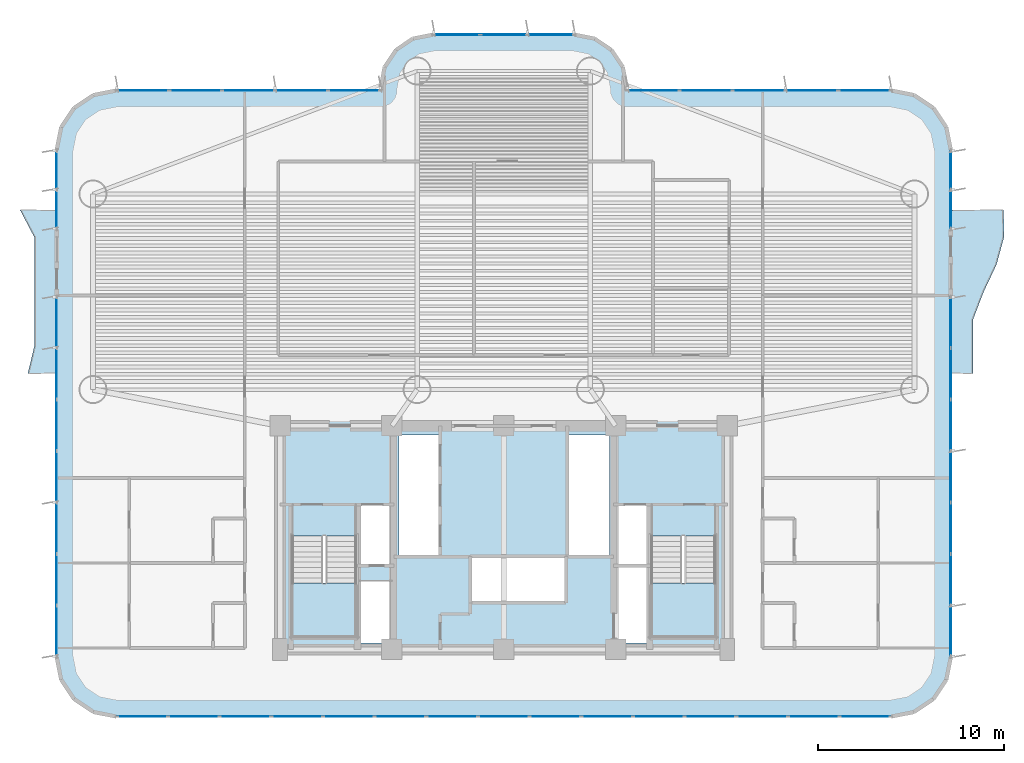
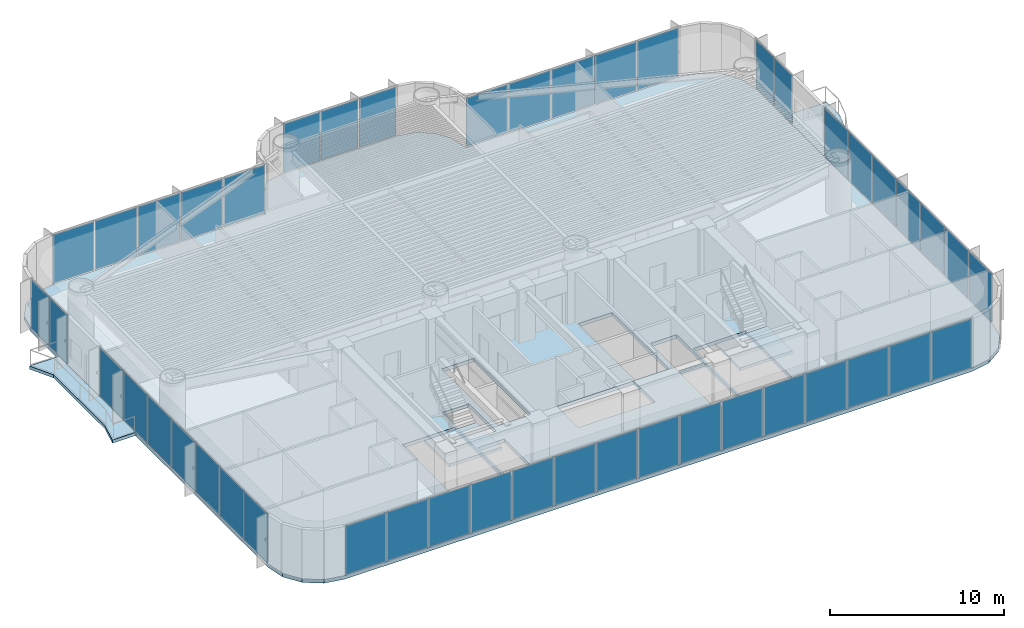
# One storey, part 9 of 17: 46 plates, 5 slabs, 10 elements without a shape of their own.
"""IFC4 building model written with IfcOpenShell, lengths in metres."""

from ifc_helpers import new_model, si_unit, direction, frame, origin, origin_2d, place, context, subcontext, project, spatial, polyline, rectangle, outline, extrude, source, transform, mapped, material, layer, layer_set, type_object, element, aggregate, save


model = new_model("IFC4")

# Units and contexts
model_context = context("Model", 3, precision=1e-05, world=origin(), true_north=direction((0.0, 1.0)))
body_context = subcontext(model_context, "Body", "Model", "MODEL_VIEW")
ifc_project = project(units=[si_unit("LENGTHUNIT", "METRE"), si_unit("AREAUNIT", "SQUARE_METRE"), si_unit("VOLUMEUNIT", "CUBIC_METRE"), si_unit("PLANEANGLEUNIT", "RADIAN"), si_unit("MASSUNIT", "GRAM", prefix="KILO")], contexts=[model_context])

# Site, building, storey
site_placement = place(None, origin())
site = spatial("IfcSite", under=ifc_project, at=site_placement, CompositionType="ELEMENT")
building_placement = place(site_placement, origin())
building = spatial("IfcBuilding", under=site, at=building_placement, Name="Brelvock Crest Care Tower", CompositionType="ELEMENT")
storey_placement = place(building_placement, frame((0.0, 0.0, 53.4599609375)))
storey = spatial("IfcBuildingStorey", under=building, at=storey_placement, Name="L13", CompositionType="ELEMENT", Elevation=53.4599609375)

# Slabs
ifc_material_1 = material(Name="Concrete N50 (50 MPa)", Category="concrete")
ifc_layer_1 = layer(ifc_material_1, 0.22998046875, Name="SLB-FL4")
ifc_layer_set_1 = layer_set([ifc_layer_1], Name="Concrete N50 (50 MPa)")
slab_type_1 = type_object("IfcSlabType", Name="SLB-FL4", PredefinedType="FLOOR", material=ifc_layer_set_1)
slab_1_placement = place(storey_placement, frame((0.0, 0.0, -0.25)))
element("IfcSlab", 1, at=slab_1_placement, inside=storey, type_object=slab_type_1, Name="L13 Main Structural Slab", PredefinedType="FLOOR", context=body_context, shape_type="SweptSolid", body=[
    extrude(outline(polyline([(56.800048828125, 36.0), (42.60009765625, 36.0), (42.60009765625, 36.199951171875), (42.386962890625, 37.271484375), (41.77978515625, 38.179931640625), (40.87158203125, 38.786865234375), (39.800048828125, 39.0), (32.199951171875, 39.0), (31.12841796875, 38.786865234375), (30.22021484375, 38.179931640625), (29.613037109375, 37.271484375), (29.39990234375, 36.199951171875), (29.39990234375, 36.0), (15.199951171875, 36.0), (13.975341796875, 35.75634765625), (12.937255859375, 35.062744140625), (12.24365234375, 34.024658203125), (12.0, 32.800048828125), (12.0, 5.60009765625), (12.24365234375, 4.37548828125), (12.937255859375, 3.33740234375), (13.975341796875, 2.6435546875), (15.199951171875, 2.39990234375), (56.800048828125, 2.39990234375), (58.024658203125, 2.6435546875), (59.062744140625, 3.33740234375), (59.75634765625, 4.37548828125), (60.0, 5.60009765625), (60.0, 32.800048828125), (59.75634765625, 34.024658203125), (59.062744140625, 35.062744140625), (58.024658203125, 35.75634765625), (56.800048828125, 36.0)]), holes=[polyline([(28.239990234375, 10.580078125), (29.97998046875, 10.580078125), (29.97998046875, 13.739990234375), (28.239990234375, 13.739990234375), (28.239990234375, 10.580078125)]), polyline([(42.02001953125, 10.580078125), (43.760009765625, 10.580078125), (43.760009765625, 13.739990234375), (42.02001953125, 13.739990234375), (42.02001953125, 10.580078125)]), polyline([(28.239990234375, 6.340087890625), (29.97998046875, 6.340087890625), (29.97998046875, 9.64990234375), (28.239990234375, 9.64990234375), (28.239990234375, 6.340087890625)]), polyline([(24.6298828125, 12.080078125), (24.6298828125, 6.699951171875), (28.110107421875, 6.699951171875), (28.110107421875, 12.080078125), (24.6298828125, 12.080078125)]), polyline([(43.889892578125, 12.080078125), (43.889892578125, 6.699951171875), (47.3701171875, 6.699951171875), (47.3701171875, 12.080078125), (43.889892578125, 12.080078125)]), polyline([(42.02001953125, 6.340087890625), (43.760009765625, 6.340087890625), (43.760009765625, 10.5), (42.02001953125, 10.5), (42.02001953125, 6.340087890625)]), polyline([(30.3798828125, 11.030029296875), (32.52001953125, 11.030029296875), (32.52001953125, 17.52001953125), (30.3798828125, 17.52001953125), (30.3798828125, 11.030029296875)]), polyline([(34.22998046875, 8.530029296875), (39.320068359375, 8.530029296875), (39.320068359375, 10.969970703125), (34.22998046875, 10.969970703125), (34.22998046875, 8.530029296875)]), polyline([(39.429931640625, 11.030029296875), (41.669921875, 11.030029296875), (41.669921875, 17.52001953125), (39.429931640625, 17.52001953125), (39.429931640625, 11.030029296875)])]), origin(), (0.0, 0.0, 1.0), 0.25),
])
ifc_layer_2 = layer(ifc_material_1, 0.219970703125, Name="SLB-WB1")
ifc_layer_set_2 = layer_set([ifc_layer_2], Name="Concrete N50 (50 MPa)")
slab_type_2 = type_object("IfcSlabType", Name="SLB-WB1", PredefinedType="FLOOR", material=ifc_layer_set_2)
slab_2_placement = place(storey_placement, frame((0.0, 0.0, -0.219970703125)))
element("IfcSlab", 2, at=slab_2_placement, inside=storey, type_object=slab_type_2, Name="L13 W Sinusoidal Wave Balcony Slab", PredefinedType="FLOOR", context=body_context, shape_type="SweptSolid", body=[
    extrude(outline(polyline([(12.0, 29.60009765625), (10.03271484375, 29.60009765625), (10.79931640625, 28.13330078125), (10.800048828125, 26.666748046875), (10.800048828125, 25.199951171875), (10.800048828125, 23.7333984375), (10.800048828125, 22.2666015625), (10.449951171875, 20.800048828125), (12.0, 20.800048828125), (12.0, 29.60009765625)])), origin(), (0.0, 0.0, 1.0), 0.219970703125),
])
slab_3_placement = place(storey_placement, frame((0.0, 0.0, -0.219970703125)))
element("IfcSlab", 3, at=slab_3_placement, inside=storey, type_object=slab_type_2, Name="L13 E Sinusoidal Wave Balcony Slab", PredefinedType="FLOOR", context=body_context, shape_type="SweptSolid", body=[
    extrude(outline(polyline([(60.0, 20.800048828125), (61.199951171875, 20.800048828125), (61.199951171875, 22.2666015625), (61.199951171875, 23.7333984375), (61.76123046875, 25.199951171875), (62.453369140625, 26.666748046875), (62.85400390625, 28.13330078125), (62.833984375, 29.60009765625), (60.0, 29.60009765625), (60.0, 20.800048828125)])), origin(), (0.0, 0.0, 1.0), 0.219970703125),
])

# Stair, slab
ifc_material_2 = material(Name="Concrete N40 (40 MPa)", Category="concrete")
stair_type = type_object("IfcStairType", Name="ST-CORE1", PredefinedType="HALF_TURN_STAIR", material=ifc_material_2)
stair_1_placement = place(storey_placement, origin())
stair_1 = element("IfcStair", 4, at=stair_1_placement, inside=storey, type_object=stair_type, Name="L13 Fire-Isolated Core Stair ST-1", PredefinedType="HALF_TURN_STAIR")
ifc_layer_3 = layer(ifc_material_2, 0.199951171875, Name="STL-1")
ifc_layer_set_3 = layer_set([ifc_layer_3], Name="Concrete N40 (40 MPa)")
slab_type_3 = type_object("IfcSlabType", Name="STL-1", PredefinedType="LANDING", material=ifc_layer_set_3)
slab_4_placement = place(storey_placement, frame((0.0, 0.0, 1.68994140625)))
slab_4 = element("IfcSlab", 5, at=slab_4_placement, type_object=slab_type_3, Name="ST-1 landing 1", PredefinedType="LANDING", context=body_context, shape_type="SweptSolid", body=[
    extrude(outline(polyline([(24.6298828125, 9.56005859375), (24.6298828125, 6.699951171875), (28.110107421875, 6.699951171875), (28.110107421875, 9.56005859375), (24.6298828125, 9.56005859375)])), origin(), (0.0, 0.0, 1.0), 0.2001953125),
])
aggregate(stair_1, [slab_4])

stair_2_placement = place(storey_placement, origin())
stair_2 = element("IfcStair", 6, at=stair_2_placement, inside=storey, type_object=stair_type, Name="L13 Fire-Isolated Core Stair ST-2", PredefinedType="HALF_TURN_STAIR")
slab_5_placement = place(storey_placement, frame((0.0, 0.0, 1.68994140625)))
slab_5 = element("IfcSlab", 7, at=slab_5_placement, type_object=slab_type_3, Name="ST-2 landing 1", PredefinedType="LANDING", context=body_context, shape_type="SweptSolid", body=[
    extrude(outline(polyline([(43.889892578125, 9.56005859375), (43.889892578125, 6.699951171875), (47.3701171875, 6.699951171875), (47.3701171875, 9.56005859375), (43.889892578125, 9.56005859375)])), origin(), (0.0, 0.0, 1.0), 0.2001953125),
])
aggregate(stair_2, [slab_5])

# Curtain wall, plates
ifc_material_3 = material(Name="Dark Glass Double Glazed Low-E", Category="glass")
ifc_layer_4 = layer(ifc_material_3, 0.195068359375, Name="CWS-2")
ifc_layer_set_4 = layer_set([ifc_layer_4], Name="Dark Glass Double Glazed Low-E")
curtain_wall_type = type_object("IfcCurtainWallType", Name="CWS-2", PredefinedType="NOTDEFINED", material=ifc_layer_set_4)
curtain_wall_1_placement = place(storey_placement, origin())
curtain_wall_1 = element("IfcCurtainWall", 8, at=curtain_wall_1_placement, inside=storey, type_object=curtain_wall_type, Name="L13 Curtain Wall E08", PredefinedType="NOTDEFINED")
ifc_layer_5 = layer(ifc_material_3, 0.031982421875, Name="CWP-V1")
ifc_layer_set_5 = layer_set([ifc_layer_5], Name="Dark Glass Double Glazed Low-E")
plate_type = type_object("IfcPlateType", Name="CWP-V1", PredefinedType="CURTAIN_PANEL", material=ifc_layer_set_5)
shared_shape_1 = source(origin(), body_context, "Body", "SweptSolid", [
    extrude(rectangle(XDim=2.67578125, YDim=0.035888671875, at=origin_2d()), origin(), (0.0, 0.0, 1.0), 3.39990234375),
])
plate_1_placement = place(storey_placement, frame((55.39697265625, 2.39990234375, 0.065185546875), z_axis=(0.0, 0.0, 1.0), x_axis=(-1.0, 0.0, 0.0)))
plate_1 = element("IfcPlate", 9, at=plate_1_placement, type_object=plate_type, Name="CW-2 panel 1.1", PredefinedType="CURTAIN_PANEL", context=body_context, shape_type="MappedRepresentation", body=[
    mapped(shared_shape_1, transform((0.0, 0.0, 0.0), x_axis=(1.0, 0.0, 0.0), y_axis=(0.0, 1.0, 0.0), z_axis=(0.0, 0.0, 1.0), scale=1.0)),
])
plate_2_placement = place(storey_placement, frame((16.60302734375, 2.39990234375, 0.065185546875), z_axis=(0.0, 0.0, 1.0), x_axis=(-1.0, 0.0, 0.0)))
plate_2 = element("IfcPlate", 10, at=plate_2_placement, type_object=plate_type, Name="CW-2 panel 15.1", PredefinedType="CURTAIN_PANEL", context=body_context, shape_type="MappedRepresentation", body=[
    mapped(shared_shape_1, transform((0.0, 0.0, 0.0), x_axis=(1.0, 0.0, 0.0), y_axis=(0.0, 1.0, 0.0), z_axis=(0.0, 0.0, 1.0), scale=1.0)),
])
shared_shape_2 = source(origin(), body_context, "Body", "SweptSolid", [
    extrude(rectangle(XDim=2.708251953125, YDim=0.035888671875, at=origin_2d()), origin(), (0.0, 0.0, 1.0), 3.39990234375),
])
plate_3_placement = place(storey_placement, frame((52.639892578125, 2.39990234375, 0.065185546875), z_axis=(0.0, 0.0, 1.0), x_axis=(-1.0, 0.0, 0.0)))
plate_3 = element("IfcPlate", 11, at=plate_3_placement, type_object=plate_type, Name="CW-2 panel 2.1", PredefinedType="CURTAIN_PANEL", context=body_context, shape_type="MappedRepresentation", body=[
    mapped(shared_shape_2, transform((0.0, 0.0, 0.0), x_axis=(1.0, 0.0, 0.0), y_axis=(0.0, 1.0, 0.0), z_axis=(0.0, 0.0, 1.0), scale=1.0)),
])
plate_4_placement = place(storey_placement, frame((49.86669921875, 2.39990234375, 0.065185546875), z_axis=(0.0, 0.0, 1.0), x_axis=(-1.0, 0.0, 0.0)))
plate_4 = element("IfcPlate", 12, at=plate_4_placement, type_object=plate_type, Name="CW-2 panel 3.1", PredefinedType="CURTAIN_PANEL", context=body_context, shape_type="MappedRepresentation", body=[
    mapped(shared_shape_2, transform((0.0, 0.0, 0.0), x_axis=(1.0, 0.0, 0.0), y_axis=(0.0, 1.0, 0.0), z_axis=(0.0, 0.0, 1.0), scale=1.0)),
])
plate_5_placement = place(storey_placement, frame((47.09326171875, 2.39990234375, 0.065185546875), z_axis=(0.0, 0.0, 1.0), x_axis=(-1.0, 0.0, 0.0)))
plate_5 = element("IfcPlate", 13, at=plate_5_placement, type_object=plate_type, Name="CW-2 panel 4.1", PredefinedType="CURTAIN_PANEL", context=body_context, shape_type="MappedRepresentation", body=[
    mapped(shared_shape_2, transform((0.0, 0.0, 0.0), x_axis=(1.0, 0.0, 0.0), y_axis=(0.0, 1.0, 0.0), z_axis=(0.0, 0.0, 1.0), scale=1.0)),
])
plate_6_placement = place(storey_placement, frame((44.320068359375, 2.39990234375, 0.065185546875), z_axis=(0.0, 0.0, 1.0), x_axis=(-1.0, 0.0, 0.0)))
plate_6 = element("IfcPlate", 14, at=plate_6_placement, type_object=plate_type, Name="CW-2 panel 5.1", PredefinedType="CURTAIN_PANEL", context=body_context, shape_type="MappedRepresentation", body=[
    mapped(shared_shape_2, transform((0.0, 0.0, 0.0), x_axis=(1.0, 0.0, 0.0), y_axis=(0.0, 1.0, 0.0), z_axis=(0.0, 0.0, 1.0), scale=1.0)),
])
plate_7_placement = place(storey_placement, frame((41.546630859375, 2.39990234375, 0.065185546875), z_axis=(0.0, 0.0, 1.0), x_axis=(-1.0, 0.0, 0.0)))
plate_7 = element("IfcPlate", 15, at=plate_7_placement, type_object=plate_type, Name="CW-2 panel 6.1", PredefinedType="CURTAIN_PANEL", context=body_context, shape_type="MappedRepresentation", body=[
    mapped(shared_shape_2, transform((0.0, 0.0, 0.0), x_axis=(1.0, 0.0, 0.0), y_axis=(0.0, 1.0, 0.0), z_axis=(0.0, 0.0, 1.0), scale=1.0)),
])
plate_8_placement = place(storey_placement, frame((38.7734375, 2.39990234375, 0.065185546875), z_axis=(0.0, 0.0, 1.0), x_axis=(-1.0, 0.0, 0.0)))
plate_8 = element("IfcPlate", 16, at=plate_8_placement, type_object=plate_type, Name="CW-2 panel 7.1", PredefinedType="CURTAIN_PANEL", context=body_context, shape_type="MappedRepresentation", body=[
    mapped(shared_shape_2, transform((0.0, 0.0, 0.0), x_axis=(1.0, 0.0, 0.0), y_axis=(0.0, 1.0, 0.0), z_axis=(0.0, 0.0, 1.0), scale=1.0)),
])
plate_9_placement = place(storey_placement, frame((36.0, 2.39990234375, 0.065185546875), z_axis=(0.0, 0.0, 1.0), x_axis=(-1.0, 0.0, 0.0)))
plate_9 = element("IfcPlate", 17, at=plate_9_placement, type_object=plate_type, Name="CW-2 panel 8.1", PredefinedType="CURTAIN_PANEL", context=body_context, shape_type="MappedRepresentation", body=[
    mapped(shared_shape_2, transform((0.0, 0.0, 0.0), x_axis=(1.0, 0.0, 0.0), y_axis=(0.0, 1.0, 0.0), z_axis=(0.0, 0.0, 1.0), scale=1.0)),
])
plate_10_placement = place(storey_placement, frame((33.2265625, 2.39990234375, 0.065185546875), z_axis=(0.0, 0.0, 1.0), x_axis=(-1.0, 0.0, 0.0)))
plate_10 = element("IfcPlate", 18, at=plate_10_placement, type_object=plate_type, Name="CW-2 panel 9.1", PredefinedType="CURTAIN_PANEL", context=body_context, shape_type="MappedRepresentation", body=[
    mapped(shared_shape_2, transform((0.0, 0.0, 0.0), x_axis=(1.0, 0.0, 0.0), y_axis=(0.0, 1.0, 0.0), z_axis=(0.0, 0.0, 1.0), scale=1.0)),
])
plate_11_placement = place(storey_placement, frame((30.453369140625, 2.39990234375, 0.065185546875), z_axis=(0.0, 0.0, 1.0), x_axis=(-1.0, 0.0, 0.0)))
plate_11 = element("IfcPlate", 19, at=plate_11_placement, type_object=plate_type, Name="CW-2 panel 10.1", PredefinedType="CURTAIN_PANEL", context=body_context, shape_type="MappedRepresentation", body=[
    mapped(shared_shape_2, transform((0.0, 0.0, 0.0), x_axis=(1.0, 0.0, 0.0), y_axis=(0.0, 1.0, 0.0), z_axis=(0.0, 0.0, 1.0), scale=1.0)),
])
plate_12_placement = place(storey_placement, frame((27.679931640625, 2.39990234375, 0.065185546875), z_axis=(0.0, 0.0, 1.0), x_axis=(-1.0, 0.0, 0.0)))
plate_12 = element("IfcPlate", 20, at=plate_12_placement, type_object=plate_type, Name="CW-2 panel 11.1", PredefinedType="CURTAIN_PANEL", context=body_context, shape_type="MappedRepresentation", body=[
    mapped(shared_shape_2, transform((0.0, 0.0, 0.0), x_axis=(1.0, 0.0, 0.0), y_axis=(0.0, 1.0, 0.0), z_axis=(0.0, 0.0, 1.0), scale=1.0)),
])
plate_13_placement = place(storey_placement, frame((24.90673828125, 2.39990234375, 0.065185546875), z_axis=(0.0, 0.0, 1.0), x_axis=(-1.0, 0.0, 0.0)))
plate_13 = element("IfcPlate", 21, at=plate_13_placement, type_object=plate_type, Name="CW-2 panel 12.1", PredefinedType="CURTAIN_PANEL", context=body_context, shape_type="MappedRepresentation", body=[
    mapped(shared_shape_2, transform((0.0, 0.0, 0.0), x_axis=(1.0, 0.0, 0.0), y_axis=(0.0, 1.0, 0.0), z_axis=(0.0, 0.0, 1.0), scale=1.0)),
])
plate_14_placement = place(storey_placement, frame((22.13330078125, 2.39990234375, 0.065185546875), z_axis=(0.0, 0.0, 1.0), x_axis=(-1.0, 0.0, 0.0)))
plate_14 = element("IfcPlate", 22, at=plate_14_placement, type_object=plate_type, Name="CW-2 panel 13.1", PredefinedType="CURTAIN_PANEL", context=body_context, shape_type="MappedRepresentation", body=[
    mapped(shared_shape_2, transform((0.0, 0.0, 0.0), x_axis=(1.0, 0.0, 0.0), y_axis=(0.0, 1.0, 0.0), z_axis=(0.0, 0.0, 1.0), scale=1.0)),
])
plate_15_placement = place(storey_placement, frame((19.360107421875, 2.39990234375, 0.065185546875), z_axis=(0.0, 0.0, 1.0), x_axis=(-1.0, 0.0, 0.0)))
plate_15 = element("IfcPlate", 23, at=plate_15_placement, type_object=plate_type, Name="CW-2 panel 14.1", PredefinedType="CURTAIN_PANEL", context=body_context, shape_type="MappedRepresentation", body=[
    mapped(shared_shape_2, transform((0.0, 0.0, 0.0), x_axis=(1.0, 0.0, 0.0), y_axis=(0.0, 1.0, 0.0), z_axis=(0.0, 0.0, 1.0), scale=1.0)),
])
aggregate(curtain_wall_1, [plate_1, plate_3, plate_4, plate_5, plate_6, plate_7, plate_8, plate_9, plate_10, plate_11, plate_12, plate_13, plate_14, plate_15, plate_2])

curtain_wall_2_placement = place(storey_placement, origin())
curtain_wall_2 = element("IfcCurtainWall", 24, at=curtain_wall_2_placement, inside=storey, type_object=curtain_wall_type, Name="L13 Curtain Wall E18", PredefinedType="NOTDEFINED")
shared_shape_3 = source(origin(), body_context, "Body", "SweptSolid", [
    extrude(rectangle(XDim=2.742431640625, YDim=0.035888671875, at=origin_2d()), origin(), (0.0, 0.0, 1.0), 3.39990234375),
])
plate_16_placement = place(storey_placement, frame((16.63623046875, 36.0, 0.065185546875), z_axis=(0.0, 0.0, 1.0), x_axis=(1.0, 0.0, 0.0)))
plate_16 = element("IfcPlate", 25, at=plate_16_placement, type_object=plate_type, Name="CW-2 panel 1.1", PredefinedType="CURTAIN_PANEL", context=body_context, shape_type="MappedRepresentation", body=[
    mapped(shared_shape_3, transform((0.0, 0.0, 0.0), x_axis=(1.0, 0.0, 0.0), y_axis=(0.0, 1.0, 0.0), z_axis=(0.0, 0.0, 1.0), scale=1.0)),
])
plate_17_placement = place(storey_placement, frame((27.9638671875, 36.0, 0.065185546875), z_axis=(0.0, 0.0, 1.0), x_axis=(1.0, 0.0, 0.0)))
plate_17 = element("IfcPlate", 26, at=plate_17_placement, type_object=plate_type, Name="CW-2 panel 5.1", PredefinedType="CURTAIN_PANEL", context=body_context, shape_type="MappedRepresentation", body=[
    mapped(shared_shape_3, transform((0.0, 0.0, 0.0), x_axis=(1.0, 0.0, 0.0), y_axis=(0.0, 1.0, 0.0), z_axis=(0.0, 0.0, 1.0), scale=1.0)),
])

curtain_wall_3_placement = place(storey_placement, origin())
curtain_wall_3 = element("IfcCurtainWall", 27, at=curtain_wall_3_placement, inside=storey, type_object=curtain_wall_type, Name="L13 Curtain Wall E30", PredefinedType="NOTDEFINED")
plate_18_placement = place(storey_placement, frame((44.0361328125, 36.0, 0.065185546875), z_axis=(0.0, 0.0, 1.0), x_axis=(1.0, 0.0, 0.0)))
plate_18 = element("IfcPlate", 28, at=plate_18_placement, type_object=plate_type, Name="CW-2 panel 1.1", PredefinedType="CURTAIN_PANEL", context=body_context, shape_type="MappedRepresentation", body=[
    mapped(shared_shape_3, transform((0.0, 0.0, 0.0), x_axis=(1.0, 0.0, 0.0), y_axis=(0.0, 1.0, 0.0), z_axis=(0.0, 0.0, 1.0), scale=1.0)),
])
plate_19_placement = place(storey_placement, frame((55.36376953125, 36.0, 0.065185546875), z_axis=(0.0, 0.0, 1.0), x_axis=(1.0, 0.0, 0.0)))
plate_19 = element("IfcPlate", 29, at=plate_19_placement, type_object=plate_type, Name="CW-2 panel 5.1", PredefinedType="CURTAIN_PANEL", context=body_context, shape_type="MappedRepresentation", body=[
    mapped(shared_shape_3, transform((0.0, 0.0, 0.0), x_axis=(1.0, 0.0, 0.0), y_axis=(0.0, 1.0, 0.0), z_axis=(0.0, 0.0, 1.0), scale=1.0)),
])

# Plate
shared_shape_4 = source(origin(), body_context, "Body", "SweptSolid", [
    extrude(rectangle(XDim=2.77490234375, YDim=0.035888671875, at=origin_2d()), origin(), (0.0, 0.0, 1.0), 3.39990234375),
])
plate_20_placement = place(storey_placement, frame((19.4599609375, 36.0, 0.065185546875), z_axis=(0.0, 0.0, 1.0), x_axis=(1.0, 0.0, 0.0)))
plate_20 = element("IfcPlate", 30, at=plate_20_placement, type_object=plate_type, Name="CW-2 panel 2.1", PredefinedType="CURTAIN_PANEL", context=body_context, shape_type="MappedRepresentation", body=[
    mapped(shared_shape_4, transform((0.0, 0.0, 0.0), x_axis=(1.0, 0.0, 0.0), y_axis=(0.0, 1.0, 0.0), z_axis=(0.0, 0.0, 1.0), scale=1.0)),
])

plate_21_placement = place(storey_placement, frame((22.300048828125, 36.0, 0.065185546875), z_axis=(0.0, 0.0, 1.0), x_axis=(1.0, 0.0, 0.0)))
plate_21 = element("IfcPlate", 31, at=plate_21_placement, type_object=plate_type, Name="CW-2 panel 3.1", PredefinedType="CURTAIN_PANEL", context=body_context, shape_type="MappedRepresentation", body=[
    mapped(shared_shape_4, transform((0.0, 0.0, 0.0), x_axis=(1.0, 0.0, 0.0), y_axis=(0.0, 1.0, 0.0), z_axis=(0.0, 0.0, 1.0), scale=1.0)),
])

plate_22_placement = place(storey_placement, frame((25.139892578125, 36.0, 0.065185546875), z_axis=(0.0, 0.0, 1.0), x_axis=(1.0, 0.0, 0.0)))
plate_22 = element("IfcPlate", 32, at=plate_22_placement, type_object=plate_type, Name="CW-2 panel 4.1", PredefinedType="CURTAIN_PANEL", context=body_context, shape_type="MappedRepresentation", body=[
    mapped(shared_shape_4, transform((0.0, 0.0, 0.0), x_axis=(1.0, 0.0, 0.0), y_axis=(0.0, 1.0, 0.0), z_axis=(0.0, 0.0, 1.0), scale=1.0)),
])

aggregate(curtain_wall_2, [plate_16, plate_20, plate_21, plate_22, plate_17])

plate_23_placement = place(storey_placement, frame((46.860107421875, 36.0, 0.065185546875), z_axis=(0.0, 0.0, 1.0), x_axis=(1.0, 0.0, 0.0)))
plate_23 = element("IfcPlate", 33, at=plate_23_placement, type_object=plate_type, Name="CW-2 panel 2.1", PredefinedType="CURTAIN_PANEL", context=body_context, shape_type="MappedRepresentation", body=[
    mapped(shared_shape_4, transform((0.0, 0.0, 0.0), x_axis=(1.0, 0.0, 0.0), y_axis=(0.0, 1.0, 0.0), z_axis=(0.0, 0.0, 1.0), scale=1.0)),
])

plate_24_placement = place(storey_placement, frame((49.699951171875, 36.0, 0.065185546875), z_axis=(0.0, 0.0, 1.0), x_axis=(1.0, 0.0, 0.0)))
plate_24 = element("IfcPlate", 34, at=plate_24_placement, type_object=plate_type, Name="CW-2 panel 3.1", PredefinedType="CURTAIN_PANEL", context=body_context, shape_type="MappedRepresentation", body=[
    mapped(shared_shape_4, transform((0.0, 0.0, 0.0), x_axis=(1.0, 0.0, 0.0), y_axis=(0.0, 1.0, 0.0), z_axis=(0.0, 0.0, 1.0), scale=1.0)),
])

plate_25_placement = place(storey_placement, frame((52.5400390625, 36.0, 0.065185546875), z_axis=(0.0, 0.0, 1.0), x_axis=(1.0, 0.0, 0.0)))
plate_25 = element("IfcPlate", 35, at=plate_25_placement, type_object=plate_type, Name="CW-2 panel 4.1", PredefinedType="CURTAIN_PANEL", context=body_context, shape_type="MappedRepresentation", body=[
    mapped(shared_shape_4, transform((0.0, 0.0, 0.0), x_axis=(1.0, 0.0, 0.0), y_axis=(0.0, 1.0, 0.0), z_axis=(0.0, 0.0, 1.0), scale=1.0)),
])

aggregate(curtain_wall_3, [plate_18, plate_23, plate_24, plate_25, plate_19])

# Curtain wall, plates
curtain_wall_4_placement = place(storey_placement, origin())
curtain_wall_4 = element("IfcCurtainWall", 36, at=curtain_wall_4_placement, inside=storey, type_object=curtain_wall_type, Name="L13 Curtain Wall E24", PredefinedType="NOTDEFINED")
shared_shape_5 = source(origin(), body_context, "Body", "SweptSolid", [
    extrude(rectangle(XDim=2.435791015625, YDim=0.035888671875, at=origin_2d()), origin(), (0.0, 0.0, 1.0), 3.39990234375),
])
plate_26_placement = place(storey_placement, frame((33.48291015625, 39.0, 0.065185546875), z_axis=(0.0, 0.0, 1.0), x_axis=(1.0, 0.0, 0.0)))
plate_26 = element("IfcPlate", 37, at=plate_26_placement, type_object=plate_type, Name="CW-2 panel 1.1", PredefinedType="CURTAIN_PANEL", context=body_context, shape_type="MappedRepresentation", body=[
    mapped(shared_shape_5, transform((0.0, 0.0, 0.0), x_axis=(1.0, 0.0, 0.0), y_axis=(0.0, 1.0, 0.0), z_axis=(0.0, 0.0, 1.0), scale=1.0)),
])
plate_27_placement = place(storey_placement, frame((38.51708984375, 39.0, 0.065185546875), z_axis=(0.0, 0.0, 1.0), x_axis=(1.0, 0.0, 0.0)))
plate_27 = element("IfcPlate", 38, at=plate_27_placement, type_object=plate_type, Name="CW-2 panel 3.1", PredefinedType="CURTAIN_PANEL", context=body_context, shape_type="MappedRepresentation", body=[
    mapped(shared_shape_5, transform((0.0, 0.0, 0.0), x_axis=(1.0, 0.0, 0.0), y_axis=(0.0, 1.0, 0.0), z_axis=(0.0, 0.0, 1.0), scale=1.0)),
])
shared_shape_6 = source(origin(), body_context, "Body", "SweptSolid", [
    extrude(rectangle(XDim=2.46826171875, YDim=0.035888671875, at=origin_2d()), origin(), (0.0, 0.0, 1.0), 3.39990234375),
])
plate_28_placement = place(storey_placement, frame((36.0, 39.0, 0.065185546875), z_axis=(0.0, 0.0, 1.0), x_axis=(1.0, 0.0, 0.0)))
plate_28 = element("IfcPlate", 39, at=plate_28_placement, type_object=plate_type, Name="CW-2 panel 2.1", PredefinedType="CURTAIN_PANEL", context=body_context, shape_type="MappedRepresentation", body=[
    mapped(shared_shape_6, transform((0.0, 0.0, 0.0), x_axis=(1.0, 0.0, 0.0), y_axis=(0.0, 1.0, 0.0), z_axis=(0.0, 0.0, 1.0), scale=1.0)),
])
aggregate(curtain_wall_4, [plate_26, plate_28, plate_27])

curtain_wall_5_placement = place(storey_placement, origin())
curtain_wall_5 = element("IfcCurtainWall", 40, at=curtain_wall_5_placement, inside=storey, type_object=curtain_wall_type, Name="L13 Curtain Wall E03A", PredefinedType="NOTDEFINED")
shared_shape_7 = source(origin(), body_context, "Body", "SweptSolid", [
    extrude(rectangle(XDim=2.027587890625, YDim=0.035888671875, at=origin_2d()), origin(), (0.0, 0.0, 1.0), 3.39990234375),
])
plate_29_placement = place(storey_placement, frame((60.0, 31.72119140625, 0.065185546875), z_axis=(0.0, 0.0, 1.0), x_axis=(0.0, -1.0, 0.0)))
plate_29 = element("IfcPlate", 41, at=plate_29_placement, type_object=plate_type, Name="CW-2 panel 1.1", PredefinedType="CURTAIN_PANEL", context=body_context, shape_type="MappedRepresentation", body=[
    mapped(shared_shape_7, transform((0.0, 0.0, 0.0), x_axis=(1.0, 0.0, 0.0), y_axis=(0.0, 1.0, 0.0), z_axis=(0.0, 0.0, 1.0), scale=1.0)),
])
plate_30_placement = place(storey_placement, frame((60.0, 29.628662109375, 0.065185546875), z_axis=(0.0, 0.0, 1.0), x_axis=(0.0, -1.0, 0.0)))
plate_30 = element("IfcPlate", 42, at=plate_30_placement, type_object=plate_type, Name="CW-2 panel 2.1", PredefinedType="CURTAIN_PANEL", context=body_context, shape_type="MappedRepresentation", body=[
    mapped(shared_shape_7, transform((0.0, 0.0, 0.0), x_axis=(1.0, 0.0, 0.0), y_axis=(0.0, 1.0, 0.0), z_axis=(0.0, 0.0, 1.0), scale=1.0)),
])
aggregate(curtain_wall_5, [plate_29, plate_30])

curtain_wall_6_placement = place(storey_placement, origin())
curtain_wall_6 = element("IfcCurtainWall", 43, at=curtain_wall_6_placement, inside=storey, type_object=curtain_wall_type, Name="L13 Curtain Wall E13B", PredefinedType="NOTDEFINED")
plate_31_placement = place(storey_placement, frame((12.0, 29.628662109375, 0.065185546875), z_axis=(0.0, 0.0, 1.0), x_axis=(0.0, 1.0, 0.0)))
plate_31 = element("IfcPlate", 44, at=plate_31_placement, type_object=plate_type, Name="CW-2 panel 1.1", PredefinedType="CURTAIN_PANEL", context=body_context, shape_type="MappedRepresentation", body=[
    mapped(shared_shape_7, transform((0.0, 0.0, 0.0), x_axis=(1.0, 0.0, 0.0), y_axis=(0.0, 1.0, 0.0), z_axis=(0.0, 0.0, 1.0), scale=1.0)),
])
plate_32_placement = place(storey_placement, frame((12.0, 31.72119140625, 0.065185546875), z_axis=(0.0, 0.0, 1.0), x_axis=(0.0, 1.0, 0.0)))
plate_32 = element("IfcPlate", 45, at=plate_32_placement, type_object=plate_type, Name="CW-2 panel 2.1", PredefinedType="CURTAIN_PANEL", context=body_context, shape_type="MappedRepresentation", body=[
    mapped(shared_shape_7, transform((0.0, 0.0, 0.0), x_axis=(1.0, 0.0, 0.0), y_axis=(0.0, 1.0, 0.0), z_axis=(0.0, 0.0, 1.0), scale=1.0)),
])
aggregate(curtain_wall_6, [plate_31, plate_32])

curtain_wall_7_placement = place(storey_placement, origin())
curtain_wall_7 = element("IfcCurtainWall", 46, at=curtain_wall_7_placement, inside=storey, type_object=curtain_wall_type, Name="L13 Curtain Wall E03B", PredefinedType="NOTDEFINED")
shared_shape_8 = source(origin(), body_context, "Body", "SweptSolid", [
    extrude(rectangle(XDim=2.666748046875, YDim=0.035888671875, at=origin_2d()), origin(), (0.0, 0.0, 1.0), 3.39990234375),
])
plate_33_placement = place(storey_placement, frame((60.0, 23.551513671875, 0.065185546875), z_axis=(0.0, 0.0, 1.0), x_axis=(0.0, -1.0, 0.0)))
plate_33 = element("IfcPlate", 47, at=plate_33_placement, type_object=plate_type, Name="CW-2 panel 1.1", PredefinedType="CURTAIN_PANEL", context=body_context, shape_type="MappedRepresentation", body=[
    mapped(shared_shape_8, transform((0.0, 0.0, 0.0), x_axis=(1.0, 0.0, 0.0), y_axis=(0.0, 1.0, 0.0), z_axis=(0.0, 0.0, 1.0), scale=1.0)),
])
plate_34_placement = place(storey_placement, frame((60.0, 6.998291015625, 0.065185546875), z_axis=(0.0, 0.0, 1.0), x_axis=(0.0, -1.0, 0.0)))
plate_34 = element("IfcPlate", 48, at=plate_34_placement, type_object=plate_type, Name="CW-2 panel 7.1", PredefinedType="CURTAIN_PANEL", context=body_context, shape_type="MappedRepresentation", body=[
    mapped(shared_shape_8, transform((0.0, 0.0, 0.0), x_axis=(1.0, 0.0, 0.0), y_axis=(0.0, 1.0, 0.0), z_axis=(0.0, 0.0, 1.0), scale=1.0)),
])

curtain_wall_8_placement = place(storey_placement, origin())
curtain_wall_8 = element("IfcCurtainWall", 49, at=curtain_wall_8_placement, inside=storey, type_object=curtain_wall_type, Name="L13 Curtain Wall E13A", PredefinedType="NOTDEFINED")
plate_35_placement = place(storey_placement, frame((12.0, 6.998291015625, 0.065185546875), z_axis=(0.0, 0.0, 1.0), x_axis=(0.0, 1.0, 0.0)))
plate_35 = element("IfcPlate", 50, at=plate_35_placement, type_object=plate_type, Name="CW-2 panel 1.1", PredefinedType="CURTAIN_PANEL", context=body_context, shape_type="MappedRepresentation", body=[
    mapped(shared_shape_8, transform((0.0, 0.0, 0.0), x_axis=(1.0, 0.0, 0.0), y_axis=(0.0, 1.0, 0.0), z_axis=(0.0, 0.0, 1.0), scale=1.0)),
])
plate_36_placement = place(storey_placement, frame((12.0, 23.551513671875, 0.065185546875), z_axis=(0.0, 0.0, 1.0), x_axis=(0.0, 1.0, 0.0)))
plate_36 = element("IfcPlate", 51, at=plate_36_placement, type_object=plate_type, Name="CW-2 panel 7.1", PredefinedType="CURTAIN_PANEL", context=body_context, shape_type="MappedRepresentation", body=[
    mapped(shared_shape_8, transform((0.0, 0.0, 0.0), x_axis=(1.0, 0.0, 0.0), y_axis=(0.0, 1.0, 0.0), z_axis=(0.0, 0.0, 1.0), scale=1.0)),
])

# Plate
shared_shape_9 = source(origin(), body_context, "Body", "SweptSolid", [
    extrude(rectangle(XDim=2.69921875, YDim=0.035888671875, at=origin_2d()), origin(), (0.0, 0.0, 1.0), 3.39990234375),
])
plate_37_placement = place(storey_placement, frame((60.0, 20.803466796875, 0.065185546875), z_axis=(0.0, 0.0, 1.0), x_axis=(0.0, -1.0, 0.0)))
plate_37 = element("IfcPlate", 52, at=plate_37_placement, type_object=plate_type, Name="CW-2 panel 2.1", PredefinedType="CURTAIN_PANEL", context=body_context, shape_type="MappedRepresentation", body=[
    mapped(shared_shape_9, transform((0.0, 0.0, 0.0), x_axis=(1.0, 0.0, 0.0), y_axis=(0.0, 1.0, 0.0), z_axis=(0.0, 0.0, 1.0), scale=1.0)),
])

plate_38_placement = place(storey_placement, frame((60.0, 18.039306640625, 0.065185546875), z_axis=(0.0, 0.0, 1.0), x_axis=(0.0, -1.0, 0.0)))
plate_38 = element("IfcPlate", 53, at=plate_38_placement, type_object=plate_type, Name="CW-2 panel 3.1", PredefinedType="CURTAIN_PANEL", context=body_context, shape_type="MappedRepresentation", body=[
    mapped(shared_shape_9, transform((0.0, 0.0, 0.0), x_axis=(1.0, 0.0, 0.0), y_axis=(0.0, 1.0, 0.0), z_axis=(0.0, 0.0, 1.0), scale=1.0)),
])

plate_39_placement = place(storey_placement, frame((60.0, 15.27490234375, 0.065185546875), z_axis=(0.0, 0.0, 1.0), x_axis=(0.0, -1.0, 0.0)))
plate_39 = element("IfcPlate", 54, at=plate_39_placement, type_object=plate_type, Name="CW-2 panel 4.1", PredefinedType="CURTAIN_PANEL", context=body_context, shape_type="MappedRepresentation", body=[
    mapped(shared_shape_9, transform((0.0, 0.0, 0.0), x_axis=(1.0, 0.0, 0.0), y_axis=(0.0, 1.0, 0.0), z_axis=(0.0, 0.0, 1.0), scale=1.0)),
])

plate_40_placement = place(storey_placement, frame((60.0, 12.5107421875, 0.065185546875), z_axis=(0.0, 0.0, 1.0), x_axis=(0.0, -1.0, 0.0)))
plate_40 = element("IfcPlate", 55, at=plate_40_placement, type_object=plate_type, Name="CW-2 panel 5.1", PredefinedType="CURTAIN_PANEL", context=body_context, shape_type="MappedRepresentation", body=[
    mapped(shared_shape_9, transform((0.0, 0.0, 0.0), x_axis=(1.0, 0.0, 0.0), y_axis=(0.0, 1.0, 0.0), z_axis=(0.0, 0.0, 1.0), scale=1.0)),
])

plate_41_placement = place(storey_placement, frame((60.0, 9.746337890625, 0.065185546875), z_axis=(0.0, 0.0, 1.0), x_axis=(0.0, -1.0, 0.0)))
plate_41 = element("IfcPlate", 56, at=plate_41_placement, type_object=plate_type, Name="CW-2 panel 6.1", PredefinedType="CURTAIN_PANEL", context=body_context, shape_type="MappedRepresentation", body=[
    mapped(shared_shape_9, transform((0.0, 0.0, 0.0), x_axis=(1.0, 0.0, 0.0), y_axis=(0.0, 1.0, 0.0), z_axis=(0.0, 0.0, 1.0), scale=1.0)),
])

aggregate(curtain_wall_7, [plate_33, plate_37, plate_38, plate_39, plate_40, plate_41, plate_34])

plate_42_placement = place(storey_placement, frame((12.0, 9.746337890625, 0.065185546875), z_axis=(0.0, 0.0, 1.0), x_axis=(0.0, 1.0, 0.0)))
plate_42 = element("IfcPlate", 57, at=plate_42_placement, type_object=plate_type, Name="CW-2 panel 2.1", PredefinedType="CURTAIN_PANEL", context=body_context, shape_type="MappedRepresentation", body=[
    mapped(shared_shape_9, transform((0.0, 0.0, 0.0), x_axis=(1.0, 0.0, 0.0), y_axis=(0.0, 1.0, 0.0), z_axis=(0.0, 0.0, 1.0), scale=1.0)),
])

plate_43_placement = place(storey_placement, frame((12.0, 12.5107421875, 0.065185546875), z_axis=(0.0, 0.0, 1.0), x_axis=(0.0, 1.0, 0.0)))
plate_43 = element("IfcPlate", 58, at=plate_43_placement, type_object=plate_type, Name="CW-2 panel 3.1", PredefinedType="CURTAIN_PANEL", context=body_context, shape_type="MappedRepresentation", body=[
    mapped(shared_shape_9, transform((0.0, 0.0, 0.0), x_axis=(1.0, 0.0, 0.0), y_axis=(0.0, 1.0, 0.0), z_axis=(0.0, 0.0, 1.0), scale=1.0)),
])

plate_44_placement = place(storey_placement, frame((12.0, 15.27490234375, 0.065185546875), z_axis=(0.0, 0.0, 1.0), x_axis=(0.0, 1.0, 0.0)))
plate_44 = element("IfcPlate", 59, at=plate_44_placement, type_object=plate_type, Name="CW-2 panel 4.1", PredefinedType="CURTAIN_PANEL", context=body_context, shape_type="MappedRepresentation", body=[
    mapped(shared_shape_9, transform((0.0, 0.0, 0.0), x_axis=(1.0, 0.0, 0.0), y_axis=(0.0, 1.0, 0.0), z_axis=(0.0, 0.0, 1.0), scale=1.0)),
])

plate_45_placement = place(storey_placement, frame((12.0, 18.039306640625, 0.065185546875), z_axis=(0.0, 0.0, 1.0), x_axis=(0.0, 1.0, 0.0)))
plate_45 = element("IfcPlate", 60, at=plate_45_placement, type_object=plate_type, Name="CW-2 panel 5.1", PredefinedType="CURTAIN_PANEL", context=body_context, shape_type="MappedRepresentation", body=[
    mapped(shared_shape_9, transform((0.0, 0.0, 0.0), x_axis=(1.0, 0.0, 0.0), y_axis=(0.0, 1.0, 0.0), z_axis=(0.0, 0.0, 1.0), scale=1.0)),
])

plate_46_placement = place(storey_placement, frame((12.0, 20.803466796875, 0.065185546875), z_axis=(0.0, 0.0, 1.0), x_axis=(0.0, 1.0, 0.0)))
plate_46 = element("IfcPlate", 61, at=plate_46_placement, type_object=plate_type, Name="CW-2 panel 6.1", PredefinedType="CURTAIN_PANEL", context=body_context, shape_type="MappedRepresentation", body=[
    mapped(shared_shape_9, transform((0.0, 0.0, 0.0), x_axis=(1.0, 0.0, 0.0), y_axis=(0.0, 1.0, 0.0), z_axis=(0.0, 0.0, 1.0), scale=1.0)),
])

aggregate(curtain_wall_8, [plate_35, plate_42, plate_43, plate_44, plate_45, plate_46, plate_36])

save(model, "model.ifc")
